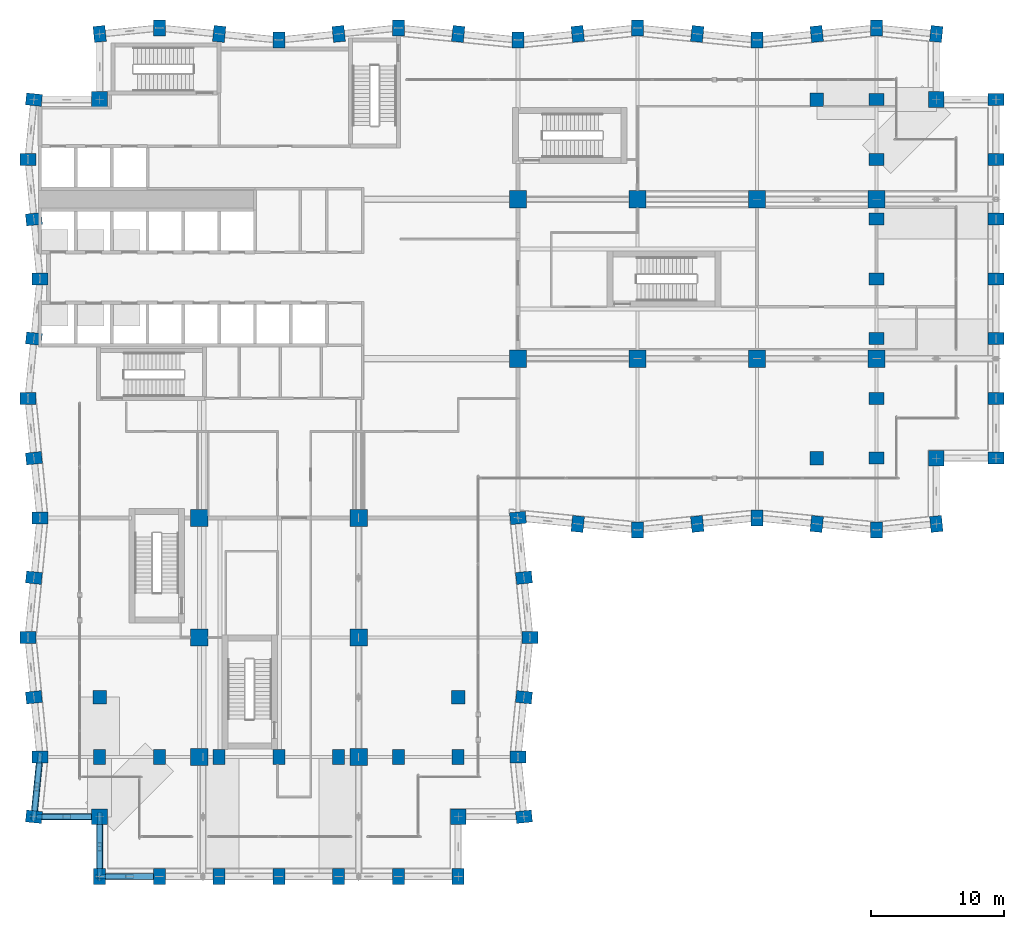
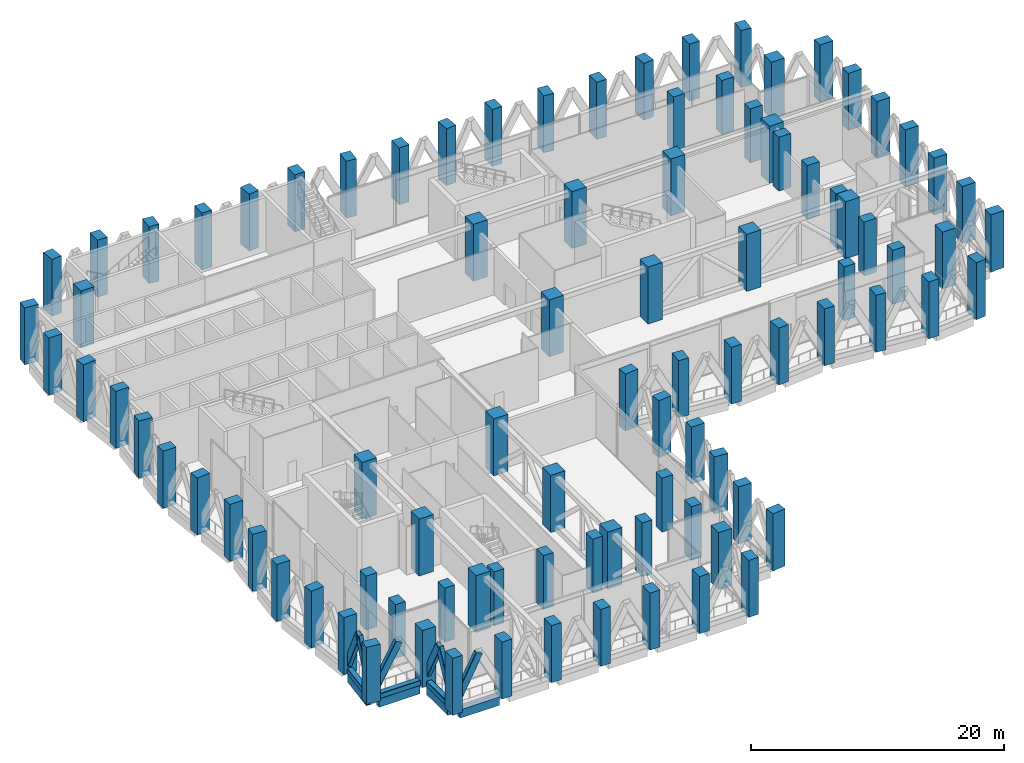
# One storey, part 1 of 37: 92 columns, 9 members, 4 beams.
"""IFC4 building model written with IfcOpenShell, lengths in metres."""

from ifc_helpers import new_model, si_unit, direction, frame, origin, origin_2d, place, context, subcontext, project, spatial, rectangle, hollow_rectangle, extrude, material, material_profile, profile_set, type_object, element, save


model = new_model("IFC4")

# Units and contexts
model_context = context("Model", 3, precision=1e-05, world=origin(), true_north=direction((0.0, 1.0)))
body_context = subcontext(model_context, "Body", "Model", "MODEL_VIEW")
ifc_project = project(units=[si_unit("LENGTHUNIT", "METRE"), si_unit("AREAUNIT", "SQUARE_METRE"), si_unit("VOLUMEUNIT", "CUBIC_METRE"), si_unit("PLANEANGLEUNIT", "RADIAN"), si_unit("MASSUNIT", "GRAM", prefix="KILO")], contexts=[model_context])

# Site, building, storey
site_placement = place(None, origin())
site = spatial("IfcSite", under=ifc_project, at=site_placement, CompositionType="ELEMENT")
building_placement = place(site_placement, origin())
building = spatial("IfcBuilding", under=site, at=building_placement, Name="Brondeck Convention Tower", CompositionType="ELEMENT")
storey_placement = place(building_placement, frame((0.0, 0.0, 137.89990234375)))
storey = spatial("IfcBuildingStorey", under=building, at=storey_placement, Name="L33", CompositionType="ELEMENT", Elevation=137.89990234375)

# Columns
ifc_material_1 = material(Name="Concrete C70/85", Category="concrete")
ifc_material_profile_1 = material_profile(ifc_material_1, rectangle(XDim=1.199951171875, YDim=1.199951171875, at=origin_2d()), Name="Corner column 1200x1200 Concrete C70/85")
ifc_profile_set_1 = profile_set([ifc_material_profile_1], Name="Concrete C70/85")
column_type_1 = type_object("IfcColumnType", Name="Corner column 1200x1200 Concrete C70/85", PredefinedType="COLUMN", material=ifc_profile_set_1)
for number, where, z_axis, x_axis, name in (
    (1, (4.5, 4.5, 0.0), (0.0, 0.0, 1.0), (1.0, 0.0, 0.0), "STR-COL-L33-NC-SWB0"),
    (2, (31.5, 4.5, 0.0), (0.0, 0.0, 1.0), (1.0, 0.0, 0.0), "STR-COL-L33-NC-SEB0"),
    (3, (67.5, 31.5, 0.0), (0.0, 0.0, 1.0), (1.0, 0.0, 0.0), "STR-COL-L33-NC-SEA72"),
    (4, (67.5, 58.5, 0.0), (0.0, 0.0, 1.0), (1.0, 0.0, 0.0), "STR-COL-L33-NC-NEA72"),
    (5, (4.5, 58.5, 0.0), (0.0, 0.0, 1.0), (1.0, 0.0, 0.0), "STR-COL-L33-NC-NW"),
):
    element("IfcColumn", number, at=place(storey_placement, frame(where, z_axis=z_axis, x_axis=x_axis)), inside=storey, type_object=column_type_1, Name=name, PredefinedType="COLUMN", context=body_context, shape_type="SweptSolid", body=[
        extrude(rectangle(XDim=1.199951171875, YDim=1.199951171875, at=origin_2d()), origin(), (0.0, 0.0, 1.0), 5.5),
    ])
ifc_material_profile_2 = material_profile(ifc_material_1, rectangle(XDim=1.300048828125, YDim=1.300048828125, at=origin_2d()), Name="Interior column 1300x1300 Concrete C70/85")
ifc_profile_set_2 = profile_set([ifc_material_profile_2], Name="Concrete C70/85")
column_type_2 = type_object("IfcColumnType", Name="Interior column 1300x1300 Concrete C70/85", PredefinedType="COLUMN", material=ifc_profile_set_2)
for number, where, z_axis, x_axis, name in (
    (6, (12.0, 9.0, 0.0), (0.0, 0.0, 1.0), (1.0, 0.0, 0.0), "STR-COL-L33-IC-01"),
    (7, (12.0, 18.0, 0.0), (0.0, 0.0, 1.0), (1.0, 0.0, 0.0), "STR-COL-L33-IC-02"),
    (8, (12.0, 27.0, 0.0), (0.0, 0.0, 1.0), (1.0, 0.0, 0.0), "STR-COL-L33-IC-03"),
    (9, (24.0, 9.0, 0.0), (0.0, 0.0, 1.0), (1.0, 0.0, 0.0), "STR-COL-L33-IC-04"),
    (10, (24.0, 18.0, 0.0), (0.0, 0.0, 1.0), (1.0, 0.0, 0.0), "STR-COL-L33-IC-05"),
    (11, (24.0, 27.0, 0.0), (0.0, 0.0, 1.0), (1.0, 0.0, 0.0), "STR-COL-L33-IC-06"),
    (12, (36.0, 39.0, 0.0), (0.0, 0.0, 1.0), (1.0, 0.0, 0.0), "STR-COL-L33-IC-07"),
    (13, (36.0, 51.0, 0.0), (0.0, 0.0, 1.0), (1.0, 0.0, 0.0), "STR-COL-L33-IC-08"),
    (14, (45.0, 39.0, 0.0), (0.0, 0.0, 1.0), (1.0, 0.0, 0.0), "STR-COL-L33-IC-09"),
    (15, (45.0, 51.0, 0.0), (0.0, 0.0, 1.0), (1.0, 0.0, 0.0), "STR-COL-L33-IC-10"),
    (16, (54.0, 39.0, 0.0), (0.0, 0.0, 1.0), (1.0, 0.0, 0.0), "STR-COL-L33-IC-11"),
    (17, (54.0, 51.0, 0.0), (0.0, 0.0, 1.0), (1.0, 0.0, 0.0), "STR-COL-L33-IC-12"),
    (18, (63.0, 39.0, 0.0), (0.0, 0.0, 1.0), (1.0, 0.0, 0.0), "STR-COL-L33-IC-13"),
    (19, (63.0, 51.0, 0.0), (0.0, 0.0, 1.0), (1.0, 0.0, 0.0), "STR-COL-L33-IC-14"),
):
    element("IfcColumn", number, at=place(storey_placement, frame(where, z_axis=z_axis, x_axis=x_axis)), inside=storey, type_object=column_type_2, Name=name, PredefinedType="COLUMN", context=body_context, shape_type="SweptSolid", body=[
        extrude(rectangle(XDim=1.300048828125, YDim=1.300048828125, at=origin_2d()), origin(), (0.0, 0.0, 1.0), 5.5),
    ])
ifc_material_profile_3 = material_profile(ifc_material_1, rectangle(XDim=1.0, YDim=1.0, at=origin_2d()), Name="Perimeter pier 1000x1000 Concrete C70/85")
ifc_profile_set_3 = profile_set([ifc_material_profile_3], Name="Concrete C70/85")
column_type_3 = type_object("IfcColumnType", Name="Perimeter pier 1000x1000 Concrete C70/85", PredefinedType="COLUMN", material=ifc_profile_set_3)
for number, where, z_axis, x_axis, name in (
    (20, (4.5, 13.5, 0.0), (0.0, 0.0, 1.0), (1.0, 0.0, 0.0), "Transfer post L33-2"),
    (21, (31.5, 13.5, 0.0), (0.0, 0.0, 1.0), (1.0, 0.0, 0.0), "Transfer post L33-9"),
    (22, (58.5, 31.5, 0.0), (0.0, 0.0, 1.0), (1.0, 0.0, 0.0), "Transfer post L33-10"),
    (23, (58.5, 58.5, 0.0), (0.0, 0.0, 1.0), (1.0, 0.0, 0.0), "Transfer post L33-11"),
):
    element("IfcColumn", number, at=place(storey_placement, frame(where, z_axis=z_axis, x_axis=x_axis)), inside=storey, type_object=column_type_3, Name=name, PredefinedType="COLUMN", context=body_context, shape_type="SweptSolid", body=[
        extrude(rectangle(XDim=1.0, YDim=1.0, at=origin_2d()), origin(), (0.0, 0.0, 1.0), 5.2001953125),
    ])
ifc_material_profile_4 = material_profile(ifc_material_1, rectangle(XDim=0.89990234375, YDim=1.10009765625, at=origin_2d()), Name="Perimeter pier 900x1100 Concrete C70/85")
ifc_profile_set_4 = profile_set([ifc_material_profile_4], Name="Concrete C70/85")
column_type_4 = type_object("IfcColumnType", Name="Perimeter pier 900x1100 Concrete C70/85", PredefinedType="COLUMN", material=ifc_profile_set_4)
for number, where, z_axis, x_axis, name in (
    (24, (4.5, 9.0, 0.0), (0.0, 0.0, 1.0), (1.0, 0.0, 0.0), "Transfer post L33-1"),
    (25, (9.0, 9.0, 0.0), (0.0, 0.0, 1.0), (1.0, 0.0, 0.0), "Transfer post L33-3"),
    (26, (13.5, 9.0, 0.0), (0.0, 0.0, 1.0), (1.0, 0.0, 0.0), "Transfer post L33-4"),
    (27, (18.0, 9.0, 0.0), (0.0, 0.0, 1.0), (1.0, 0.0, 0.0), "Transfer post L33-5"),
    (28, (22.5, 9.0, 0.0), (0.0, 0.0, 1.0), (1.0, 0.0, 0.0), "Transfer post L33-6"),
    (29, (27.0, 9.0, 0.0), (0.0, 0.0, 1.0), (1.0, 0.0, 0.0), "Transfer post L33-7"),
    (30, (31.5, 9.0, 0.0), (0.0, 0.0, 1.0), (1.0, 0.0, 0.0), "Transfer post L33-8"),
    (31, (63.0, 31.5, 0.0), (0.0, 0.0, 1.0), (0.0, 1.0, 0.0), "Transfer post L33-12"),
    (32, (63.0, 36.0, 0.0), (0.0, 0.0, 1.0), (0.0, 1.0, 0.0), "Transfer post L33-13"),
    (33, (63.0, 40.5, 0.0), (0.0, 0.0, 1.0), (0.0, 1.0, 0.0), "Transfer post L33-14"),
    (34, (63.0, 45.0, 0.0), (0.0, 0.0, 1.0), (0.0, 1.0, 0.0), "Transfer post L33-15"),
    (35, (63.0, 49.5, 0.0), (0.0, 0.0, 1.0), (0.0, 1.0, 0.0), "Transfer post L33-16"),
    (36, (63.0, 54.0, 0.0), (0.0, 0.0, 1.0), (0.0, 1.0, 0.0), "Transfer post L33-17"),
    (37, (63.0, 58.5, 0.0), (0.0, 0.0, 1.0), (0.0, 1.0, 0.0), "Transfer post L33-18"),
):
    element("IfcColumn", number, at=place(storey_placement, frame(where, z_axis=z_axis, x_axis=x_axis)), inside=storey, type_object=column_type_4, Name=name, PredefinedType="COLUMN", context=body_context, shape_type="SweptSolid", body=[
        extrude(rectangle(XDim=0.89990234375, YDim=1.10009765625, at=origin_2d()), origin(), (0.0, 0.0, 1.0), 5.2001953125),
    ])
ifc_material_profile_5 = material_profile(ifc_material_1, rectangle(XDim=0.89990234375, YDim=1.199951171875, at=origin_2d()), Name="Perimeter pier 900x1200 Concrete C70/85")
ifc_profile_set_5 = profile_set([ifc_material_profile_5], Name="Concrete C70/85")
column_type_5 = type_object("IfcColumnType", Name="Perimeter pier 900x1200 Concrete C70/85", PredefinedType="COLUMN", material=ifc_profile_set_5)
for number, where, z_axis, x_axis, name in (
    (38, (4.5, 0.0, 0.0), (0.0, 0.0, 1.0), (1.0, 0.0, 0.0), "STR-COL-L33-PC-B-S0-01"),
    (39, (9.0, 0.0, 0.0), (0.0, 0.0, 1.0), (1.0, 0.0, 0.0), "STR-COL-L33-PC-B-S0-02"),
    (40, (13.5, 0.0, 0.0), (0.0, 0.0, 1.0), (1.0, 0.0, 0.0), "STR-COL-L33-PC-B-S0-03"),
    (41, (18.0, 0.0, 0.0), (0.0, 0.0, 1.0), (1.0, 0.0, 0.0), "STR-COL-L33-PC-B-S0-04"),
    (42, (22.5, 0.0, 0.0), (0.0, 0.0, 1.0), (1.0, 0.0, 0.0), "STR-COL-L33-PC-B-S0-05"),
    (43, (27.0, 0.0, 0.0), (0.0, 0.0, 1.0), (1.0, 0.0, 0.0), "STR-COL-L33-PC-B-S0-06"),
    (44, (31.5, 0.0, 0.0), (0.0, 0.0, 1.0), (1.0, 0.0, 0.0), "STR-COL-L33-PC-B-S0-07"),
    (45, (36.449951171875, 4.5, 0.0), (0.0, 0.0, 1.0), (-0.0995038382, 0.995037178292, 0.0), "STR-COL-L33-PC-B-E-05"),
    (46, (36.0, 9.0, 0.0), (0.0, 0.0, 1.0), (0.0, 1.0, 0.0), "STR-COL-L33-PC-B-E-04"),
    (47, (36.449951171875, 13.5, 0.0), (0.0, 0.0, 1.0), (0.0995038382, 0.995037178292, 0.0), "STR-COL-L33-PC-B-E-03"),
    (48, (36.89990234375, 18.0, 0.0), (0.0, 0.0, 1.0), (0.0, 1.0, 0.0), "STR-COL-L33-PC-B-E-02"),
    (49, (36.449951171875, 22.5, 0.0), (0.0, 0.0, 1.0), (-0.0995038382, 0.995037178292, 0.0), "STR-COL-L33-PC-B-E-01"),
    (50, (36.0, 27.0, 0.0), (0.0, 0.0, 1.0), (-0.0995038382, 0.995037178292, 0.0), "STR-COL-L33-PC-B-E-00"),
    (51, (40.5, 26.550048828125, 0.0), (0.0, 0.0, 1.0), (0.995037178292, -0.0995038382, 0.0), "STR-COL-L33-PC-A-S-01"),
    (52, (45.0, 26.10009765625, 0.0), (0.0, 0.0, 1.0), (1.0, 0.0, 0.0), "STR-COL-L33-PC-A-S-02"),
    (53, (49.5, 26.550048828125, 0.0), (0.0, 0.0, 1.0), (0.995037178292, 0.0995038382, 0.0), "STR-COL-L33-PC-A-S-03"),
    (54, (54.0, 27.0, 0.0), (0.0, 0.0, 1.0), (1.0, 0.0, 0.0), "STR-COL-L33-PC-A-S-04"),
    (55, (58.5, 26.550048828125, 0.0), (0.0, 0.0, 1.0), (0.995037178292, -0.0995038382, 0.0), "STR-COL-L33-PC-A-S-05"),
    (56, (63.0, 26.10009765625, 0.0), (0.0, 0.0, 1.0), (1.0, 0.0, 0.0), "STR-COL-L33-PC-A-S-06"),
    (57, (67.5, 26.550048828125, 0.0), (0.0, 0.0, 1.0), (0.995037178292, 0.0995038382, 0.0), "STR-COL-L33-PC-A-S-07"),
    (58, (72.0, 31.5, 0.0), (0.0, 0.0, 1.0), (0.0, 1.0, 0.0), "STR-COL-L33-PC-A-E72-01"),
    (59, (72.0, 36.0, 0.0), (0.0, 0.0, 1.0), (0.0, 1.0, 0.0), "STR-COL-L33-PC-A-E72-02"),
    (60, (72.0, 40.5, 0.0), (0.0, 0.0, 1.0), (0.0, 1.0, 0.0), "STR-COL-L33-PC-A-E72-03"),
    (61, (72.0, 45.0, 0.0), (0.0, 0.0, 1.0), (0.0, 1.0, 0.0), "STR-COL-L33-PC-A-E72-04"),
    (62, (72.0, 49.5, 0.0), (0.0, 0.0, 1.0), (0.0, 1.0, 0.0), "STR-COL-L33-PC-A-E72-05"),
    (63, (72.0, 54.0, 0.0), (0.0, 0.0, 1.0), (0.0, 1.0, 0.0), "STR-COL-L33-PC-A-E72-06"),
    (64, (72.0, 58.5, 0.0), (0.0, 0.0, 1.0), (0.0, 1.0, 0.0), "STR-COL-L33-PC-A-E72-07"),
    (65, (67.5, 63.449951171875, 0.0), (0.0, 0.0, 1.0), (-0.995037178292, 0.0995038382, 0.0), "STR-COL-L33-PC-A-N-15"),
    (66, (63.0, 63.89990234375, 0.0), (0.0, 0.0, 1.0), (-1.0, 0.0, 0.0), "STR-COL-L33-PC-A-N-14"),
    (67, (58.5, 63.449951171875, 0.0), (0.0, 0.0, 1.0), (-0.995037178292, -0.0995038382, 0.0), "STR-COL-L33-PC-A-N-13"),
    (68, (54.0, 63.0, 0.0), (0.0, 0.0, 1.0), (-1.0, 0.0, 0.0), "STR-COL-L33-PC-A-N-12"),
    (69, (49.5, 63.449951171875, 0.0), (0.0, 0.0, 1.0), (-0.995037178292, 0.0995038382, 0.0), "STR-COL-L33-PC-A-N-11"),
    (70, (45.0, 63.89990234375, 0.0), (0.0, 0.0, 1.0), (-1.0, 0.0, 0.0), "STR-COL-L33-PC-A-N-10"),
    (71, (40.5, 63.449951171875, 0.0), (0.0, 0.0, 1.0), (-0.995037178292, -0.0995038382, 0.0), "STR-COL-L33-PC-A-N-09"),
    (72, (36.0, 63.0, 0.0), (0.0, 0.0, 1.0), (-1.0, 0.0, 0.0), "STR-COL-L33-PC-A-N-08"),
    (73, (31.5, 63.449951171875, 0.0), (0.0, 0.0, 1.0), (-0.995037178292, 0.0995038382, 0.0), "STR-COL-L33-PC-A-N-07"),
    (74, (27.0, 63.89990234375, 0.0), (0.0, 0.0, 1.0), (-1.0, 0.0, 0.0), "STR-COL-L33-PC-A-N-06"),
    (75, (22.5, 63.449951171875, 0.0), (0.0, 0.0, 1.0), (-0.995037178292, -0.0995038382, 0.0), "STR-COL-L33-PC-A-N-05"),
    (76, (18.0, 63.0, 0.0), (0.0, 0.0, 1.0), (-1.0, 0.0, 0.0), "STR-COL-L33-PC-A-N-04"),
    (77, (13.5, 63.449951171875, 0.0), (0.0, 0.0, 1.0), (-0.995037178292, 0.0995038382, 0.0), "STR-COL-L33-PC-A-N-03"),
    (78, (9.0, 63.89990234375, 0.0), (0.0, 0.0, 1.0), (-1.0, 0.0, 0.0), "STR-COL-L33-PC-A-N-02"),
    (79, (4.5, 63.449951171875, 0.0), (0.0, 0.0, 1.0), (-0.995037178292, -0.0995038382, 0.0), "STR-COL-L33-PC-A-N-01"),
    (80, (-0.449951171875, 58.5, 0.0), (0.0, 0.0, 1.0), (-0.0995038382, -0.995037178292, 0.0), "STR-COL-L33-PC-B-W-01"),
    (81, (-0.89990234375, 54.0, 0.0), (0.0, 0.0, 1.0), (0.0, -1.0, 0.0), "STR-COL-L33-PC-B-W-02"),
    (82, (-0.449951171875, 49.5, 0.0), (0.0, 0.0, 1.0), (0.0995038382, -0.995037178292, 0.0), "STR-COL-L33-PC-B-W-03"),
    (83, (0.0, 45.0, 0.0), (0.0, 0.0, 1.0), (0.0, -1.0, 0.0), "STR-COL-L33-PC-B-W-04"),
    (84, (-0.449951171875, 40.5, 0.0), (0.0, 0.0, 1.0), (-0.0995038382, -0.995037178292, 0.0), "STR-COL-L33-PC-B-W-05"),
    (85, (-0.89990234375, 36.0, 0.0), (0.0, 0.0, 1.0), (0.0, -1.0, 0.0), "STR-COL-L33-PC-B-W-06"),
    (86, (-0.449951171875, 31.5, 0.0), (0.0, 0.0, 1.0), (0.0995038382, -0.995037178292, 0.0), "STR-COL-L33-PC-B-W-07"),
    (87, (0.0, 27.0, 0.0), (0.0, 0.0, 1.0), (0.0, -1.0, 0.0), "STR-COL-L33-PC-B-W-08"),
    (88, (-0.449951171875, 22.5, 0.0), (0.0, 0.0, 1.0), (-0.0995038382, -0.995037178292, 0.0), "STR-COL-L33-PC-B-W-09"),
    (89, (-0.89990234375, 18.0, 0.0), (0.0, 0.0, 1.0), (0.0, -1.0, 0.0), "STR-COL-L33-PC-B-W-10"),
    (90, (-0.449951171875, 13.5, 0.0), (0.0, 0.0, 1.0), (0.0995038382, -0.995037178292, 0.0), "STR-COL-L33-PC-B-W-11"),
    (91, (0.0, 9.0, 0.0), (0.0, 0.0, 1.0), (0.0, -1.0, 0.0), "STR-COL-L33-PC-B-W-12"),
    (92, (-0.449951171875, 4.5, 0.0), (0.0, 0.0, 1.0), (-0.0995038382, -0.995037178292, 0.0), "STR-COL-L33-PC-B-W-13"),
):
    element("IfcColumn", number, at=place(storey_placement, frame(where, z_axis=z_axis, x_axis=x_axis)), inside=storey, type_object=column_type_5, Name=name, PredefinedType="COLUMN", context=body_context, shape_type="SweptSolid", body=[
        extrude(rectangle(XDim=0.89990234375, YDim=1.199951171875, at=origin_2d()), origin(), (0.0, 0.0, 1.0), 5.5),
    ])

# Members
ifc_material_2 = material(Name="Steel S460", Category="steel")
ifc_material_profile_6 = material_profile(ifc_material_2, hollow_rectangle(XDim=0.39990234375, YDim=0.699951171875, WallThickness=0.030029296875, InnerFilletRadius=0.030029296875, OuterFilletRadius=0.06005859375, at=origin_2d()), Name="RHS 700x400x30")
ifc_profile_set_6 = profile_set([ifc_material_profile_6], Name="Steel S460")
member_type_1 = type_object("IfcMemberType", Name="Chevron brace RHS 700x400x30", PredefinedType="BRACE", material=ifc_profile_set_6)
member_1_placement = place(storey_placement, frame((4.5, 0.0, 0.5), z_axis=(0.459414782038, 0.0, 0.888221851817), x_axis=(0.0, 1.0, 0.0)))
element("IfcMember", 93, at=member_1_placement, inside=storey, type_object=member_type_1, Name="Belt truss BT-33-1 diagonal", PredefinedType="BRACE", context=body_context, shape_type="SweptSolid", body=[
    extrude(hollow_rectangle(XDim=0.39990234375, YDim=0.699951171875, WallThickness=0.030029296875, InnerFilletRadius=0.030029296875, OuterFilletRadius=0.06005859375, at=origin_2d()), origin(), (0.0, 0.0, 1.0), 4.8974609375),
])
for number, where, z_axis, x_axis, name in (
    (94, (0.0, 9.0, 0.5), (-0.045912949215, -0.458930303654, 0.887285172581), (0.995032913332, -0.099546478526, 0.0), "Belt truss BT-33-58 diagonal"),
    (95, (-0.449951171875, 4.5, 0.5), (0.045863256892, 0.458931352356, 0.887287200117), (-0.995043602151, 0.099439578731, 0.0), "Belt truss BT-33-58 diagonal"),
):
    element("IfcMember", number, at=place(storey_placement, frame(where, z_axis=z_axis, x_axis=x_axis)), inside=storey, type_object=member_type_1, Name=name, PredefinedType="BRACE", context=body_context, shape_type="SweptSolid", body=[
        extrude(hollow_rectangle(XDim=0.39990234375, YDim=0.699951171875, WallThickness=0.030029296875, InnerFilletRadius=0.030029296875, OuterFilletRadius=0.06005859375, at=origin_2d()), origin(), (0.0, 0.0, 1.0), 4.902587890625),
    ])
member_2_placement = place(storey_placement, frame((-0.449951171875, 4.5, 0.5), z_axis=(0.494493751194, 0.0, 0.869181183661), x_axis=(0.0, 1.0, 0.0)))
element("IfcMember", 96, at=member_2_placement, inside=storey, type_object=member_type_1, Name="Belt truss BT-33-59 diagonal", PredefinedType="BRACE", context=body_context, shape_type="SweptSolid", body=[
    extrude(hollow_rectangle(XDim=0.39990234375, YDim=0.699951171875, WallThickness=0.030029296875, InnerFilletRadius=0.030029296875, OuterFilletRadius=0.06005859375, at=origin_2d()), origin(), (0.0, 0.0, 1.0), 5.0048828125),
])
for number, where, z_axis, x_axis, name in (
    (97, (4.5, 4.5, 0.5), (0.0, -0.459414782038, 0.888221851817), (1.0, 0.0, 0.0), "Belt truss BT-33-60 diagonal"),
    (98, (4.5, 0.0, 0.5), (0.0, 0.459414782038, 0.888221851817), (-1.0, 0.0, 0.0), "Belt truss BT-33-60 diagonal"),
):
    element("IfcMember", number, at=place(storey_placement, frame(where, z_axis=z_axis, x_axis=x_axis)), inside=storey, type_object=member_type_1, Name=name, PredefinedType="BRACE", context=body_context, shape_type="SweptSolid", body=[
        extrude(hollow_rectangle(XDim=0.39990234375, YDim=0.699951171875, WallThickness=0.030029296875, InnerFilletRadius=0.030029296875, OuterFilletRadius=0.06005859375, at=origin_2d()), origin(), (0.0, 0.0, 1.0), 4.8974609375),
    ])

# Beams
ifc_material_profile_7 = material_profile(ifc_material_1, rectangle(XDim=0.449951171875, YDim=0.800048828125, at=origin_2d()), Name="Precast spandrel 450x800 Concrete C70/85")
ifc_profile_set_7 = profile_set([ifc_material_profile_7], Name="Concrete C70/85")
beam_type = type_object("IfcBeamType", Name="Precast spandrel 450x800 Concrete C70/85", PredefinedType="SPANDREL", material=ifc_profile_set_7)
beam_1_placement = place(storey_placement, frame((4.949951171875, 0.0, -0.39990234375), z_axis=(1.0, 0.0, 0.0), x_axis=(0.0, 1.0, 0.0)))
element("IfcBeam", 99, at=beam_1_placement, inside=storey, type_object=beam_type, Name="STR-SP-L33-001", PredefinedType="SPANDREL", context=body_context, shape_type="SweptSolid", body=[
    extrude(rectangle(XDim=0.449951171875, YDim=0.800048828125, at=origin_2d()), origin(), (0.0, 0.0, 1.0), 3.60009765625),
])
beam_2_placement = place(storey_placement, frame((-0.044921875, 8.550048828125, -0.39990234375), z_axis=(-0.099537103649, -0.995033851182, 0.0), x_axis=(0.995033851182, -0.099537103649, 0.0)))
element("IfcBeam", 100, at=beam_2_placement, inside=storey, type_object=beam_type, Name="STR-SP-L33-058", PredefinedType="SPANDREL", context=body_context, shape_type="SweptSolid", body=[
    extrude(rectangle(XDim=0.449951171875, YDim=0.800048828125, at=origin_2d()), origin(), (0.0, 0.0, 1.0), 3.620361328125),
])
beam_3_placement = place(storey_placement, frame((0.153076171875, 4.5, -0.39990234375), z_axis=(1.0, 0.0, 0.0), x_axis=(0.0, 1.0, 0.0)))
element("IfcBeam", 101, at=beam_3_placement, inside=storey, type_object=beam_type, Name="STR-SP-L33-059", PredefinedType="SPANDREL", context=body_context, shape_type="SweptSolid", body=[
    extrude(rectangle(XDim=0.449951171875, YDim=0.800048828125, at=origin_2d()), origin(), (0.0, 0.0, 1.0), 3.746826171875),
])
beam_4_placement = place(storey_placement, frame((4.5, 3.89990234375, -0.39990234375), z_axis=(0.0, -1.0, 0.0), x_axis=(1.0, 0.0, 0.0)))
element("IfcBeam", 102, at=beam_4_placement, inside=storey, type_object=beam_type, Name="STR-SP-L33-060", PredefinedType="SPANDREL", context=body_context, shape_type="SweptSolid", body=[
    extrude(rectangle(XDim=0.449951171875, YDim=0.800048828125, at=origin_2d()), origin(), (0.0, 0.0, 1.0), 3.2998046875),
])

# Members
ifc_material_profile_8 = material_profile(ifc_material_2, hollow_rectangle(XDim=0.5, YDim=0.5, WallThickness=0.02490234375, InnerFilletRadius=0.02490234375, OuterFilletRadius=0.050048828125, at=origin_2d()), Name="RHS 500x500x25")
ifc_profile_set_8 = profile_set([ifc_material_profile_8], Name="Steel S460")
member_type_2 = type_object("IfcMemberType", Name="Truss chord RHS 500x500x25", PredefinedType="CHORD", material=ifc_profile_set_8)
member_3_placement = place(storey_placement, frame((0.0, 9.0, 0.25), z_axis=(-0.099493029059, -0.995038259148, 0.0), x_axis=(0.995038259148, -0.099493029059, 0.0)))
element("IfcMember", 103, at=member_3_placement, inside=storey, type_object=member_type_2, Name="Belt truss BT-33-32 chord", PredefinedType="CHORD", context=body_context, shape_type="SweptSolid", body=[
    extrude(hollow_rectangle(XDim=0.5, YDim=0.5, WallThickness=0.02490234375, InnerFilletRadius=0.02490234375, OuterFilletRadius=0.050048828125, at=origin_2d()), origin(), (0.0, 0.0, 1.0), 4.5224609375),
])
member_4_placement = place(storey_placement, frame((-0.449951171875, 4.5, 0.25), z_axis=(1.0, 0.0, 0.0), x_axis=(0.0, 1.0, 0.0)))
element("IfcMember", 104, at=member_4_placement, inside=storey, type_object=member_type_2, Name="Belt truss BT-33-33 chord", PredefinedType="CHORD", context=body_context, shape_type="SweptSolid", body=[
    extrude(hollow_rectangle(XDim=0.5, YDim=0.5, WallThickness=0.02490234375, InnerFilletRadius=0.02490234375, OuterFilletRadius=0.050048828125, at=origin_2d()), origin(), (0.0, 0.0, 1.0), 4.949951171875),
])
member_5_placement = place(storey_placement, frame((4.5, 4.5, 0.25), z_axis=(0.0, -1.0, 0.0), x_axis=(1.0, 0.0, 0.0)))
element("IfcMember", 105, at=member_5_placement, inside=storey, type_object=member_type_2, Name="Belt truss BT-33-34 chord", PredefinedType="CHORD", context=body_context, shape_type="SweptSolid", body=[
    extrude(hollow_rectangle(XDim=0.5, YDim=0.5, WallThickness=0.02490234375, InnerFilletRadius=0.02490234375, OuterFilletRadius=0.050048828125, at=origin_2d()), origin(), (0.0, 0.0, 1.0), 4.5),
])

save(model, "model.ifc")
